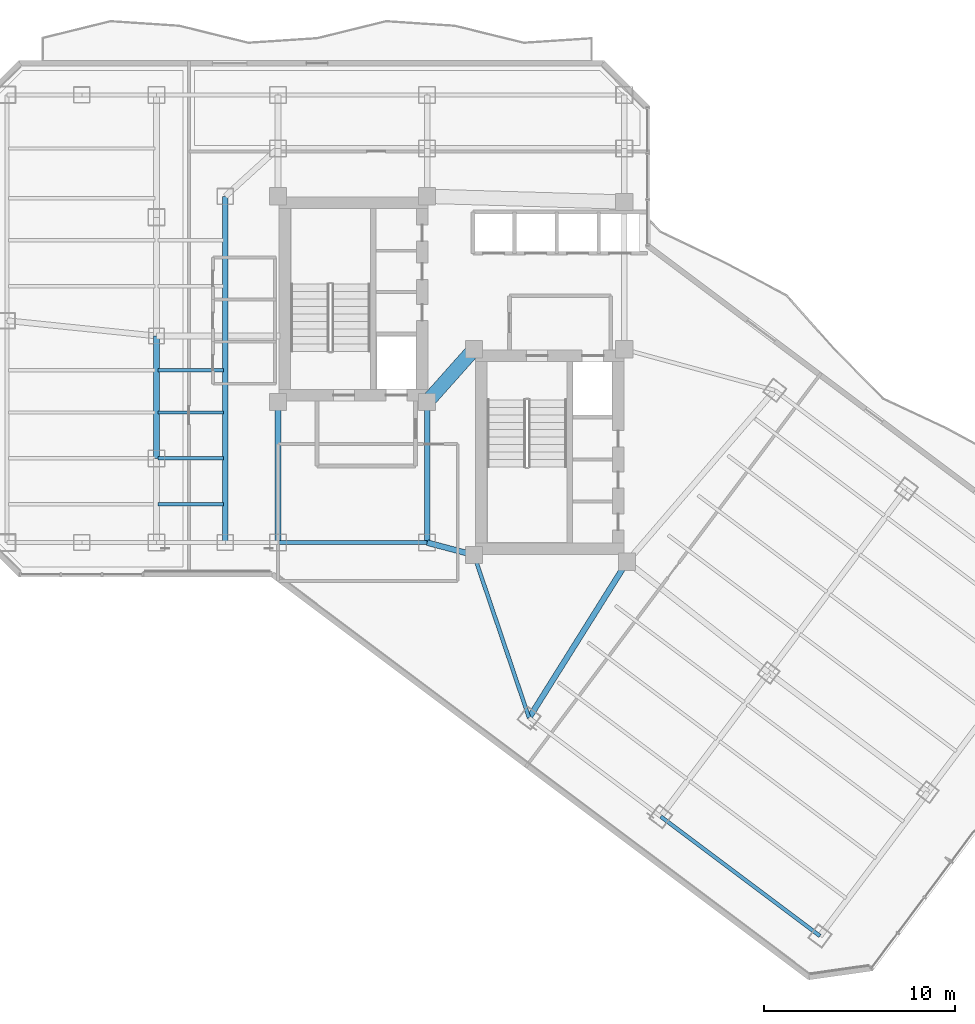
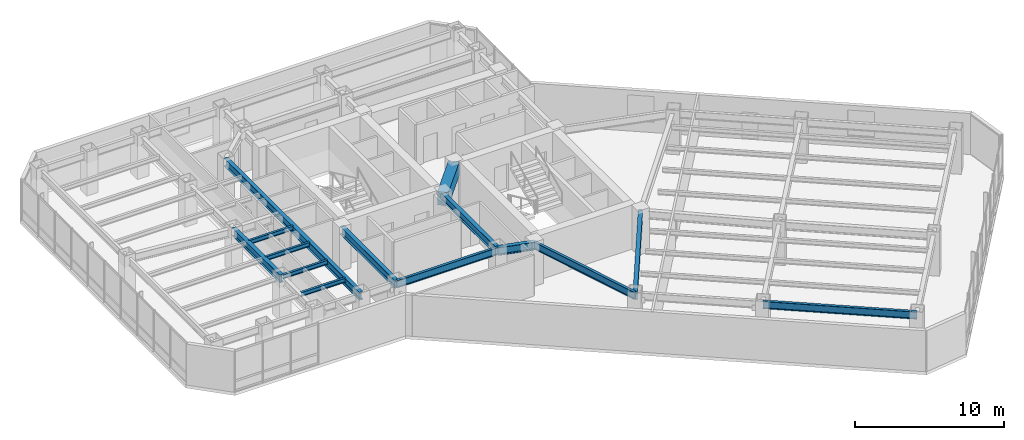
# One storey, part 5 of 29: 14 beams.
"""IFC4 building model written with IfcOpenShell, lengths in metres."""

from ifc_helpers import new_model, si_unit, direction, frame, origin, origin_2d, place, context, subcontext, project, spatial, rectangle, i_section, extrude, material, material_profile, profile_set, type_object, element, save


model = new_model("IFC4")

# Units and contexts
model_context = context("Model", 3, precision=1e-05, world=origin(), true_north=direction((0.0, 1.0)))
body_context = subcontext(model_context, "Body", "Model", "MODEL_VIEW")
ifc_project = project(units=[si_unit("LENGTHUNIT", "METRE"), si_unit("AREAUNIT", "SQUARE_METRE"), si_unit("VOLUMEUNIT", "CUBIC_METRE"), si_unit("PLANEANGLEUNIT", "RADIAN"), si_unit("MASSUNIT", "GRAM", prefix="KILO")], contexts=[model_context])

# Site, building, storey
site_placement = place(None, origin())
site = spatial("IfcSite", under=ifc_project, at=site_placement, CompositionType="ELEMENT")
building_placement = place(site_placement, origin())
building = spatial("IfcBuilding", under=site, at=building_placement, Name="Hatsunagi Terrace Concourse", CompositionType="ELEMENT")
storey_placement = place(building_placement, frame((0.0, 0.0, 115.64990234375)))
storey = spatial("IfcBuildingStorey", under=building, at=storey_placement, Name="L30", CompositionType="ELEMENT", Elevation=115.64990234375)

# Beams
ifc_material_1 = material(Name="Concrete Fc48", Category="concrete")
ifc_material_profile_1 = material_profile(ifc_material_1, rectangle(XDim=0.75, YDim=1.10009765625, at=origin_2d()), Name="RC-750x1100")
ifc_profile_set_1 = profile_set([ifc_material_profile_1], Name="Concrete Fc48")
beam_type_1 = type_object("IfcBeamType", Name="CoreCouplingBeam_RC_750x1100", PredefinedType="BEAM", material=ifc_profile_set_1)
beam_1_placement = place(storey_placement, frame((33.35009765625, 32.550048828125, 2.800048828125), z_axis=(0.665198651008, 0.746666427997, 0.0), x_axis=(-0.746666427997, 0.665198651008, 0.0)))
element("IfcBeam", 1, at=beam_1_placement, inside=storey, type_object=beam_type_1, Name="Beam CB-02 CB-L30-1", PredefinedType="BEAM", context=body_context, shape_type="SweptSolid", body=[
    extrude(rectangle(XDim=0.75, YDim=1.10009765625, at=origin_2d()), origin(), (0.0, 0.0, 1.0), 3.68310546875),
])
ifc_material_2 = material(Name="Steel SN490B", Category="steel")
ifc_material_profile_2 = material_profile(ifc_material_2, i_section(OverallWidth=0.175048828125, OverallDepth=0.35009765625, WebThickness=0.007080078125, FlangeThickness=0.010986328125, FilletRadius=0.012939453125, at=origin_2d()), Name="H-350x175x7x11")
ifc_profile_set_2 = profile_set([ifc_material_profile_2], Name="Steel SN490B")
beam_type_2 = type_object("IfcBeamType", Name="HotelJoist_H_350x175", PredefinedType="JOIST", material=ifc_profile_set_2)
for number, where, z_axis, x_axis, name in (
    (2, (19.284912109375, 27.199951171875, 3.175048828125), (1.0, 0.0, 0.0), (0.0, 1.0, 0.0), "Beam J-02 J-L30-W-19-272"),
    (3, (19.284912109375, 29.60009765625, 3.175048828125), (1.0, 0.0, 0.0), (0.0, 1.0, 0.0), "Beam J-02 J-L30-W-19-296"),
    (4, (19.284912109375, 32.0, 3.175048828125), (1.0, 0.0, 0.0), (0.0, 1.0, 0.0), "Beam J-02 J-L30-W-19-320"),
    (5, (19.284912109375, 34.199951171875, 3.175048828125), (1.0, 0.0, 0.0), (0.0, 1.0, 0.0), "Beam J-02 J-L30-W-19-342"),
):
    element("IfcBeam", number, at=place(storey_placement, frame(where, z_axis=z_axis, x_axis=x_axis)), inside=storey, type_object=beam_type_2, Name=name, PredefinedType="JOIST", context=body_context, shape_type="SweptSolid", body=[
        extrude(i_section(OverallWidth=0.175048828125, OverallDepth=0.35009765625, WebThickness=0.007080078125, FlangeThickness=0.010986328125, FilletRadius=0.012939453125, at=origin_2d()), origin(), (0.0, 0.0, 1.0), 3.43017578125),
    ])
ifc_material_3 = material(Name="Steel SN490B", Category="steel")
ifc_material_profile_3 = material_profile(ifc_material_3, i_section(OverallWidth=0.300048828125, OverallDepth=0.64990234375, WebThickness=0.012939453125, FlangeThickness=0.02197265625, FilletRadius=0.01806640625, at=origin_2d()), Name="H-650x300x13x22")
ifc_profile_set_3 = profile_set([ifc_material_profile_3], Name="Steel SN490B")
beam_type_3 = type_object("IfcBeamType", Name="OfficeLowGirder_H_650x300", PredefinedType="BEAM", material=ifc_profile_set_3)
for number, where, z_axis, x_axis, name in (
    (6, (25.550048828125, 25.199951171875, 3.025146484375), (0.0, 1.0, 0.0), (-1.0, 0.0, 0.0), "Beam G-05 BM-L30-K1CA"),
    (7, (33.35009765625, 25.199951171875, 3.025146484375), (0.0, 1.0, 0.0), (-1.0, 0.0, 0.0), "Beam G-05 BM-L30-K2CA"),
):
    element("IfcBeam", number, at=place(storey_placement, frame(where, z_axis=z_axis, x_axis=x_axis)), inside=storey, type_object=beam_type_3, Name=name, PredefinedType="BEAM", context=body_context, shape_type="SweptSolid", body=[
        extrude(i_section(OverallWidth=0.300048828125, OverallDepth=0.64990234375, WebThickness=0.012939453125, FlangeThickness=0.02197265625, FilletRadius=0.01806640625, at=origin_2d()), origin(), (0.0, 0.0, 1.0), 7.35009765625),
    ])
beam_2_placement = place(storey_placement, frame((33.35009765625, 25.199951171875, 3.025146484375), z_axis=(0.966569840116, -0.256403479262, 0.0), x_axis=(0.256403479262, 0.966569840116, 0.0)))
element("IfcBeam", 8, at=beam_2_placement, inside=storey, type_object=beam_type_3, Name="Beam G-05 BM-L30-K2CB", PredefinedType="BEAM", context=body_context, shape_type="SweptSolid", body=[
    extrude(i_section(OverallWidth=0.300048828125, OverallDepth=0.64990234375, WebThickness=0.012939453125, FlangeThickness=0.02197265625, FilletRadius=0.01806640625, at=origin_2d()), origin(), (0.0, 0.0, 1.0), 2.53466796875),
])
beam_3_placement = place(storey_placement, frame((22.800048828125, 25.199951171875, 3.025146484375), z_axis=(0.0, 1.0, 0.0), x_axis=(-1.0, 0.0, 0.0)))
element("IfcBeam", 9, at=beam_3_placement, inside=storey, type_object=beam_type_3, Name="Beam G-05 BM-L30-CWNS", PredefinedType="BEAM", context=body_context, shape_type="SweptSolid", body=[
    extrude(i_section(OverallWidth=0.300048828125, OverallDepth=0.64990234375, WebThickness=0.012939453125, FlangeThickness=0.02197265625, FilletRadius=0.01806640625, at=origin_2d()), origin(), (0.0, 0.0, 1.0), 18.10009765625),
])
beam_4_placement = place(storey_placement, frame((19.199951171875, 29.60009765625, 3.025146484375), z_axis=(0.0, 1.0, 0.0), x_axis=(-1.0, 0.0, 0.0)))
element("IfcBeam", 10, at=beam_4_placement, inside=storey, type_object=beam_type_3, Name="Beam G-05 BM-L30-NS-19-29", PredefinedType="BEAM", context=body_context, shape_type="SweptSolid", body=[
    extrude(i_section(OverallWidth=0.300048828125, OverallDepth=0.64990234375, WebThickness=0.012939453125, FlangeThickness=0.02197265625, FilletRadius=0.01806640625, at=origin_2d()), origin(), (0.0, 0.0, 1.0), 6.39990234375),
])
beam_5_placement = place(storey_placement, frame((38.679931640625, 16.0400390625, 3.025146484375), z_axis=(0.531503907049, 0.847055840421, 0.0), x_axis=(-0.847055840421, 0.531503907049, 0.0)))
element("IfcBeam", 11, at=beam_5_placement, inside=storey, type_object=beam_type_3, Name="Beam G-05 BM-L30-SET-1A", PredefinedType="BEAM", context=body_context, shape_type="SweptSolid", body=[
    extrude(i_section(OverallWidth=0.300048828125, OverallDepth=0.64990234375, WebThickness=0.012939453125, FlangeThickness=0.02197265625, FilletRadius=0.01806640625, at=origin_2d()), origin(), (0.0, 0.0, 1.0), 9.63330078125),
])
ifc_material_4 = material(Name="Steel SN490B", Category="steel")
ifc_material_profile_4 = material_profile(ifc_material_4, i_section(OverallWidth=0.199951171875, OverallDepth=0.60009765625, WebThickness=0.010986328125, FlangeThickness=0.01708984375, FilletRadius=0.01806640625, at=origin_2d()), Name="H-600x200x11x17")
ifc_profile_set_4 = profile_set([ifc_material_profile_4], Name="Steel SN490B")
beam_type_4 = type_object("IfcBeamType", Name="PerimeterSpandrel_H_600x200", PredefinedType="SPANDREL", material=ifc_profile_set_4)
beam_6_placement = place(storey_placement, frame((25.550048828125, 25.199951171875, 3.050048828125), z_axis=(1.0, 0.0, 0.0), x_axis=(0.0, 1.0, 0.0)))
element("IfcBeam", 12, at=beam_6_placement, inside=storey, type_object=beam_type_4, Name="Beam SP-01 BM-L30-WS-25", PredefinedType="SPANDREL", context=body_context, shape_type="SweptSolid", body=[
    extrude(i_section(OverallWidth=0.199951171875, OverallDepth=0.60009765625, WebThickness=0.010986328125, FlangeThickness=0.01708984375, FilletRadius=0.01806640625, at=origin_2d()), origin(), (0.0, 0.0, 1.0), 7.800048828125),
])
beam_7_placement = place(storey_placement, frame((35.800048828125, 24.550048828125, 3.050048828125), z_axis=(0.320553412271, -0.947230441805, 0.0), x_axis=(0.947230441805, 0.320553412271, 0.0)))
element("IfcBeam", 13, at=beam_7_placement, inside=storey, type_object=beam_type_4, Name="Beam SP-01 BM-L30-SE-SW0", PredefinedType="SPANDREL", context=body_context, shape_type="SweptSolid", body=[
    extrude(i_section(OverallWidth=0.199951171875, OverallDepth=0.60009765625, WebThickness=0.010986328125, FlangeThickness=0.01708984375, FilletRadius=0.01806640625, at=origin_2d()), origin(), (0.0, 0.0, 1.0), 8.984130859375),
])
beam_8_placement = place(storey_placement, frame((45.56005859375, 10.8798828125, 3.050048828125), z_axis=(0.799994365871, -0.600007512099, 0.0), x_axis=(0.600007512099, 0.799994365871, 0.0)))
element("IfcBeam", 14, at=beam_8_placement, inside=storey, type_object=beam_type_4, Name="Beam SP-01 BM-L30-SE-SW3", PredefinedType="SPANDREL", context=body_context, shape_type="SweptSolid", body=[
    extrude(i_section(OverallWidth=0.199951171875, OverallDepth=0.60009765625, WebThickness=0.010986328125, FlangeThickness=0.01708984375, FilletRadius=0.01806640625, at=origin_2d()), origin(), (0.0, 0.0, 1.0), 10.39990234375),
])

save(model, "model.ifc")
